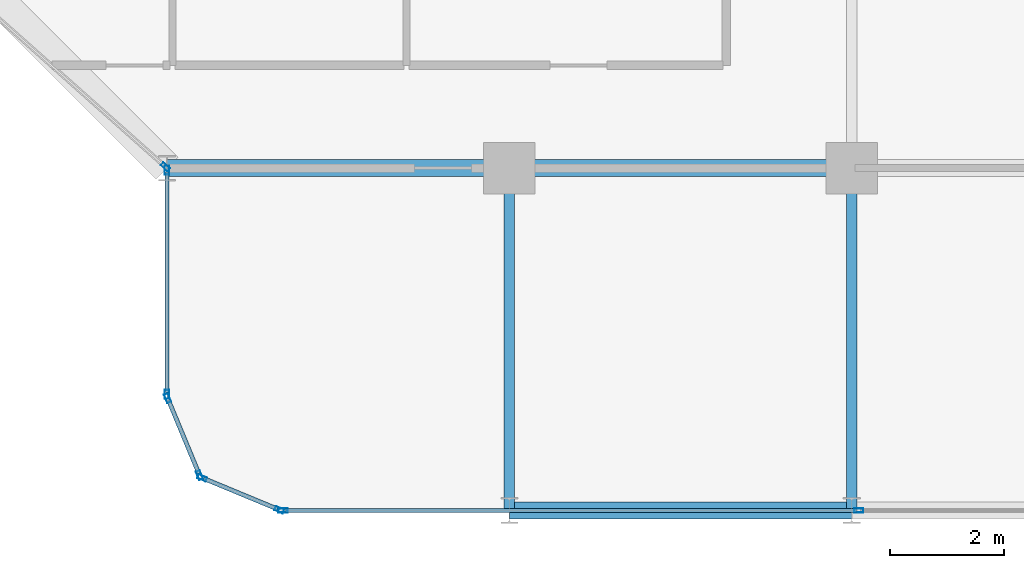
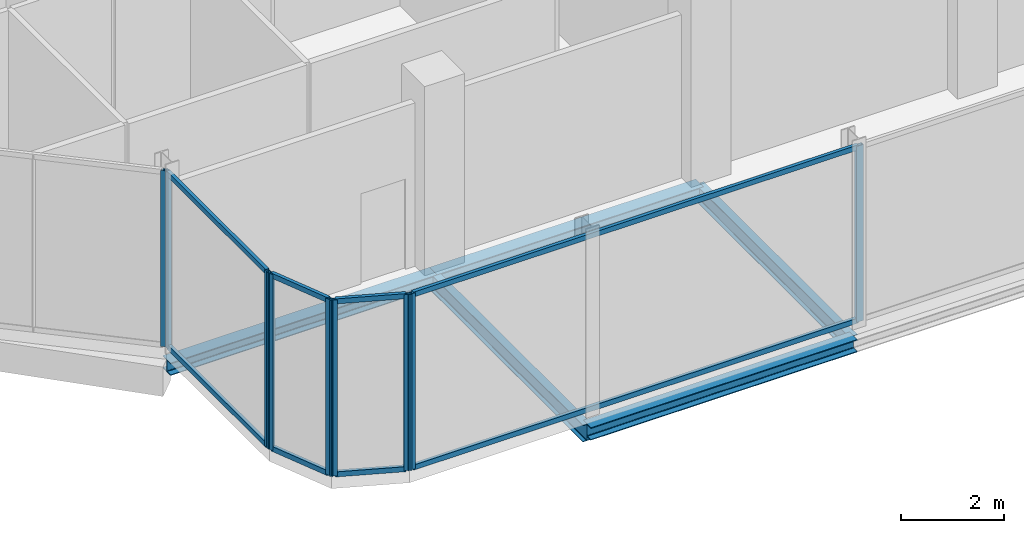
# One storey, part 6 of 31: 17 members, 5 beams, 5 elements without a shape of their own.
"""IFC4 building model written with IfcOpenShell, lengths in metres."""

from ifc_helpers import new_model, si_unit, direction, frame, origin, origin_2d, place, context, subcontext, project, spatial, hollow_rectangle, i_section, extrude, material, layer, layer_set, material_profile, profile_set, type_object, element, aggregate, save


model = new_model("IFC4")

# Units and contexts
model_context = context("Model", 3, precision=1e-05, world=origin(), true_north=direction((0.0, 1.0)))
body_context = subcontext(model_context, "Body", "Model", "MODEL_VIEW")
ifc_project = project(units=[si_unit("LENGTHUNIT", "METRE"), si_unit("AREAUNIT", "SQUARE_METRE"), si_unit("VOLUMEUNIT", "CUBIC_METRE"), si_unit("PLANEANGLEUNIT", "RADIAN"), si_unit("MASSUNIT", "GRAM", prefix="KILO")], contexts=[model_context])

# Site, building, storey
site_placement = place(None, origin())
site = spatial("IfcSite", under=ifc_project, at=site_placement, CompositionType="ELEMENT")
building_placement = place(site_placement, origin())
building = spatial("IfcBuilding", under=site, at=building_placement, Name="Keshet Zoharim Tower", CompositionType="ELEMENT")
storey_placement = place(building_placement, frame((0.0, 0.0, 183.89990234375)))
storey = spatial("IfcBuildingStorey", under=building, at=storey_placement, Name="L45", CompositionType="ELEMENT", Elevation=183.89990234375)

# Beams
ifc_material_1 = material(Name="Steel S355", Category="steel")
ifc_material_profile_1 = material_profile(ifc_material_1, i_section(OverallWidth=0.300048828125, OverallDepth=0.300048828125, WebThickness=0.010986328125, FlangeThickness=0.01904296875, FilletRadius=0.027099609375, at=origin_2d()), Name="HEB300")
ifc_profile_set_1 = profile_set([ifc_material_profile_1], Name="Steel S355")
beam_type_1 = type_object("IfcBeamType", Name="BM-PRI-HB300", PredefinedType="BEAM", material=ifc_profile_set_1)
for number, where, z_axis, x_axis, name in (
    (1, (27.0, 0.699951171875, -0.469970703125), (1.0, 0.0, 0.0), (0.0, 1.0, 0.0), "L45 Primary Girder X-001"),
    (2, (21.0, 6.699951171875, -0.469970703125), (1.0, 0.0, 0.0), (0.0, 1.0, 0.0), "L45 Primary Girder X-005"),
    (3, (27.0, 6.699951171875, -0.469970703125), (1.0, 0.0, 0.0), (0.0, 1.0, 0.0), "L45 Primary Girder X-006"),
):
    element("IfcBeam", number, at=place(storey_placement, frame(where, z_axis=z_axis, x_axis=x_axis)), inside=storey, type_object=beam_type_1, Name=name, PredefinedType="BEAM", context=body_context, shape_type="SweptSolid", body=[
        extrude(i_section(OverallWidth=0.300048828125, OverallDepth=0.300048828125, WebThickness=0.010986328125, FlangeThickness=0.01904296875, FilletRadius=0.027099609375, at=origin_2d()), origin(), (0.0, 0.0, 1.0), 6.0),
    ])
ifc_material_profile_2 = material_profile(ifc_material_1, i_section(OverallWidth=0.179931640625, OverallDepth=0.39990234375, WebThickness=0.008544921875, FlangeThickness=0.013427734375, FilletRadius=0.02099609375, at=origin_2d()), Name="IPE400")
ifc_profile_set_2 = profile_set([ifc_material_profile_2], Name="Steel S355")
beam_type_2 = type_object("IfcBeamType", Name="BM-PRI-IP400", PredefinedType="BEAM", material=ifc_profile_set_2)
for number, where, z_axis, x_axis, name in (
    (4, (27.0, 0.699951171875, -0.52001953125), (0.0, 1.0, 0.0), (-1.0, 0.0, 0.0), "L45 Primary Girder Y-004"),
    (5, (33.0, 0.699951171875, -0.52001953125), (0.0, 1.0, 0.0), (-1.0, 0.0, 0.0), "L45 Primary Girder Y-005"),
):
    element("IfcBeam", number, at=place(storey_placement, frame(where, z_axis=z_axis, x_axis=x_axis)), inside=storey, type_object=beam_type_2, Name=name, PredefinedType="BEAM", context=body_context, shape_type="SweptSolid", body=[
        extrude(i_section(OverallWidth=0.179931640625, OverallDepth=0.39990234375, WebThickness=0.008544921875, FlangeThickness=0.013427734375, FilletRadius=0.02099609375, at=origin_2d()), origin(), (0.0, 0.0, 1.0), 6.0),
    ])

# Curtain wall, members
ifc_material_2 = material(Name="Aluminium 6063-T6", Category="aluminium")
ifc_layer = layer(ifc_material_2, 0.139892578125)
ifc_layer_set = layer_set([ifc_layer], Name="Aluminium 6063-T6")
curtain_wall_type = type_object("IfcCurtainWallType", Name="CW-SYS-05", PredefinedType="NOTDEFINED", material=ifc_layer_set)
curtain_wall_1_placement = place(storey_placement, origin())
curtain_wall_1 = element("IfcCurtainWall", 6, at=curtain_wall_1_placement, inside=storey, type_object=curtain_wall_type, Name="L45 Unitised Curtain Wall 11 Part 3", PredefinedType="NOTDEFINED")
ifc_material_profile_3 = material_profile(ifc_material_2, hollow_rectangle(XDim=0.074951171875, YDim=0.159912109375, WallThickness=0.00390625, at=origin_2d()), Name="MUL-75x160")
ifc_profile_set_3 = profile_set([ifc_material_profile_3], Name="Aluminium 6063-T6")
member_type_1 = type_object("IfcMemberType", Name="CWM-M15", PredefinedType="MULLION", material=ifc_profile_set_3)
member_1_placement = place(storey_placement, frame((33.123779296875, 0.699951171875, 0.0), z_axis=(0.0, 0.0, 1.0), x_axis=(0.0, -1.0, 0.0)))
member_1 = element("IfcMember", 7, at=member_1_placement, type_object=member_type_1, Name="CW-05 mullion 2", PredefinedType="MULLION", context=body_context, shape_type="SweptSolid", body=[
    extrude(hollow_rectangle(XDim=0.074951171875, YDim=0.159912109375, WallThickness=0.00390625, at=origin_2d()), origin(), (0.0, 0.0, 1.0), 4.190185546875),
])
member_2_placement = place(storey_placement, frame((23.034912109375, 0.699951171875, 0.0), z_axis=(0.0, 0.0, 1.0), x_axis=(0.0, -1.0, 0.0)))
member_2 = element("IfcMember", 8, at=member_2_placement, type_object=member_type_1, Name="CW-05 mullion 3", PredefinedType="MULLION", context=body_context, shape_type="SweptSolid", body=[
    extrude(hollow_rectangle(XDim=0.074951171875, YDim=0.159912109375, WallThickness=0.00390625, at=origin_2d()), origin(), (0.0, 0.0, 1.0), 4.190185546875),
])

curtain_wall_2_placement = place(storey_placement, origin())
curtain_wall_2 = element("IfcCurtainWall", 9, at=curtain_wall_2_placement, inside=storey, type_object=curtain_wall_type, Name="L45 Unitised Curtain Wall 12", PredefinedType="NOTDEFINED")
member_3_placement = place(storey_placement, frame((22.9677734375, 0.71337890625, 0.0), z_axis=(0.0, 0.0, 1.0), x_axis=(-0.382851849847, -0.92380975372, 0.0)))
member_3 = element("IfcMember", 10, at=member_3_placement, type_object=member_type_1, Name="CW-05 mullion 1", PredefinedType="MULLION", context=body_context, shape_type="SweptSolid", body=[
    extrude(hollow_rectangle(XDim=0.074951171875, YDim=0.159912109375, WallThickness=0.00390625, at=origin_2d()), origin(), (0.0, 0.0, 1.0), 4.190185546875),
])
member_4_placement = place(storey_placement, frame((21.618408203125, 1.272705078125, 0.0), z_axis=(0.0, 0.0, 1.0), x_axis=(-0.382851849847, -0.92380975372, 0.0)))
member_4 = element("IfcMember", 11, at=member_4_placement, type_object=member_type_1, Name="CW-05 mullion 2", PredefinedType="MULLION", context=body_context, shape_type="SweptSolid", body=[
    extrude(hollow_rectangle(XDim=0.074951171875, YDim=0.159912109375, WallThickness=0.00390625, at=origin_2d()), origin(), (0.0, 0.0, 1.0), 4.190185546875),
])

curtain_wall_3_placement = place(storey_placement, origin())
curtain_wall_3 = element("IfcCurtainWall", 12, at=curtain_wall_3_placement, inside=storey, type_object=curtain_wall_type, Name="L45 Unitised Curtain Wall 13", PredefinedType="NOTDEFINED")
member_5_placement = place(storey_placement, frame((21.572509765625, 1.318359375, 0.0), z_axis=(0.0, 0.0, 1.0), x_axis=(-0.92380975372, -0.382851849847, 0.0)))
member_5 = element("IfcMember", 13, at=member_5_placement, type_object=member_type_1, Name="CW-05 mullion 1", PredefinedType="MULLION", context=body_context, shape_type="SweptSolid", body=[
    extrude(hollow_rectangle(XDim=0.074951171875, YDim=0.159912109375, WallThickness=0.00390625, at=origin_2d()), origin(), (0.0, 0.0, 1.0), 4.190185546875),
])
member_6_placement = place(storey_placement, frame((21.013427734375, 2.667724609375, 0.0), z_axis=(0.0, 0.0, 1.0), x_axis=(-0.92380975372, -0.382851849847, 0.0)))
member_6 = element("IfcMember", 14, at=member_6_placement, type_object=member_type_1, Name="CW-05 mullion 2", PredefinedType="MULLION", context=body_context, shape_type="SweptSolid", body=[
    extrude(hollow_rectangle(XDim=0.074951171875, YDim=0.159912109375, WallThickness=0.00390625, at=origin_2d()), origin(), (0.0, 0.0, 1.0), 4.190185546875),
])

curtain_wall_4_placement = place(storey_placement, origin())
curtain_wall_4 = element("IfcCurtainWall", 15, at=curtain_wall_4_placement, inside=storey, type_object=curtain_wall_type, Name="L45 Unitised Curtain Wall 14", PredefinedType="NOTDEFINED")
member_7_placement = place(storey_placement, frame((21.0, 2.735107421875, 0.0), z_axis=(0.0, 0.0, 1.0), x_axis=(-1.0, 0.0, 0.0)))
member_7 = element("IfcMember", 16, at=member_7_placement, type_object=member_type_1, Name="CW-05 mullion 1", PredefinedType="MULLION", context=body_context, shape_type="SweptSolid", body=[
    extrude(hollow_rectangle(XDim=0.074951171875, YDim=0.159912109375, WallThickness=0.00390625, at=origin_2d()), origin(), (0.0, 0.0, 1.0), 4.190185546875),
])
member_8_placement = place(storey_placement, frame((21.0, 6.6650390625, 0.0), z_axis=(0.0, 0.0, 1.0), x_axis=(-1.0, 0.0, 0.0)))
member_8 = element("IfcMember", 17, at=member_8_placement, type_object=member_type_1, Name="CW-05 mullion 2", PredefinedType="MULLION", context=body_context, shape_type="SweptSolid", body=[
    extrude(hollow_rectangle(XDim=0.074951171875, YDim=0.159912109375, WallThickness=0.00390625, at=origin_2d()), origin(), (0.0, 0.0, 1.0), 4.190185546875),
])

# Curtain wall, member
curtain_wall_5_placement = place(storey_placement, origin())
curtain_wall_5 = element("IfcCurtainWall", 18, at=curtain_wall_5_placement, inside=storey, type_object=curtain_wall_type, Name="L45 Unitised Curtain Wall 15", PredefinedType="NOTDEFINED")
member_9_placement = place(storey_placement, frame((20.973876953125, 6.72314453125, 0.0), z_axis=(0.0, 0.0, 1.0), x_axis=(-0.664363838836, -0.747409318679, 0.0)))
member_9 = element("IfcMember", 19, at=member_9_placement, type_object=member_type_1, Name="CW-05 mullion 1", PredefinedType="MULLION", context=body_context, shape_type="SweptSolid", body=[
    extrude(hollow_rectangle(XDim=0.074951171875, YDim=0.159912109375, WallThickness=0.00390625, at=origin_2d()), origin(), (0.0, 0.0, 1.0), 4.190185546875),
])
aggregate(curtain_wall_5, [member_9])

# Member
ifc_material_profile_4 = material_profile(ifc_material_2, hollow_rectangle(XDim=0.074951171875, YDim=0.1201171875, WallThickness=0.00390625, at=origin_2d()), Name="TRN-75x120")
ifc_profile_set_4 = profile_set([ifc_material_profile_4], Name="Aluminium 6063-T6")
member_type_2 = type_object("IfcMemberType", Name="CWT-T12", PredefinedType="USERDEFINED", material=ifc_profile_set_4)
member_10_placement = place(storey_placement, frame((33.0888671875, 0.699951171875, 0.03515625), z_axis=(-1.0, 0.0, 0.0), x_axis=(0.0, -1.0, 0.0)))
member_10 = element("IfcMember", 20, at=member_10_placement, type_object=member_type_2, Name="CW-05 transom 2.1", ObjectType="TRANSOM", PredefinedType="USERDEFINED", context=body_context, shape_type="SweptSolid", body=[
    extrude(hollow_rectangle(XDim=0.074951171875, YDim=0.1201171875, WallThickness=0.00390625, at=origin_2d()), origin(), (0.0, 0.0, 1.0), 10.018798828125),
])

member_11_placement = place(storey_placement, frame((33.0888671875, 0.699951171875, 4.155029296875), z_axis=(-1.0, 0.0, 0.0), x_axis=(0.0, -1.0, 0.0)))
member_11 = element("IfcMember", 21, at=member_11_placement, type_object=member_type_2, Name="CW-05 transom 2.2", ObjectType="TRANSOM", PredefinedType="USERDEFINED", context=body_context, shape_type="SweptSolid", body=[
    extrude(hollow_rectangle(XDim=0.074951171875, YDim=0.1201171875, WallThickness=0.00390625, at=origin_2d()), origin(), (0.0, 0.0, 1.0), 10.018798828125),
])

aggregate(curtain_wall_1, [member_1, member_2, member_10, member_11])

member_12_placement = place(storey_placement, frame((22.935302734375, 0.726806640625, 0.03515625), z_axis=(-0.92379209995, 0.382894445076, 0.0), x_axis=(-0.382894445076, -0.92379209995, 0.0)))
member_12 = element("IfcMember", 22, at=member_12_placement, type_object=member_type_2, Name="CW-05 transom 1.1", ObjectType="TRANSOM", PredefinedType="USERDEFINED", context=body_context, shape_type="SweptSolid", body=[
    extrude(hollow_rectangle(XDim=0.074951171875, YDim=0.1201171875, WallThickness=0.00390625, at=origin_2d()), origin(), (0.0, 0.0, 1.0), 1.390625),
])

member_13_placement = place(storey_placement, frame((22.935302734375, 0.726806640625, 4.155029296875), z_axis=(-0.92379209995, 0.382894445076, 0.0), x_axis=(-0.382894445076, -0.92379209995, 0.0)))
member_13 = element("IfcMember", 23, at=member_13_placement, type_object=member_type_2, Name="CW-05 transom 1.2", ObjectType="TRANSOM", PredefinedType="USERDEFINED", context=body_context, shape_type="SweptSolid", body=[
    extrude(hollow_rectangle(XDim=0.074951171875, YDim=0.1201171875, WallThickness=0.00390625, at=origin_2d()), origin(), (0.0, 0.0, 1.0), 1.390625),
])

aggregate(curtain_wall_2, [member_3, member_4, member_12, member_13])

member_14_placement = place(storey_placement, frame((21.55908203125, 1.3505859375, 0.03515625), z_axis=(-0.382744609247, 0.923854189844, 0.0), x_axis=(-0.923854189844, -0.382744609247, 0.0)))
member_14 = element("IfcMember", 24, at=member_14_placement, type_object=member_type_2, Name="CW-05 transom 1.1", ObjectType="TRANSOM", PredefinedType="USERDEFINED", context=body_context, shape_type="SweptSolid", body=[
    extrude(hollow_rectangle(XDim=0.074951171875, YDim=0.1201171875, WallThickness=0.00390625, at=origin_2d()), origin(), (0.0, 0.0, 1.0), 1.390625),
])

member_15_placement = place(storey_placement, frame((21.55908203125, 1.3505859375, 4.155029296875), z_axis=(-0.382744609247, 0.923854189844, 0.0), x_axis=(-0.923854189844, -0.382744609247, 0.0)))
member_15 = element("IfcMember", 25, at=member_15_placement, type_object=member_type_2, Name="CW-05 transom 1.2", ObjectType="TRANSOM", PredefinedType="USERDEFINED", context=body_context, shape_type="SweptSolid", body=[
    extrude(hollow_rectangle(XDim=0.074951171875, YDim=0.1201171875, WallThickness=0.00390625, at=origin_2d()), origin(), (0.0, 0.0, 1.0), 1.390625),
])

aggregate(curtain_wall_3, [member_5, member_6, member_14, member_15])

member_16_placement = place(storey_placement, frame((21.0, 2.77001953125, 0.03515625), z_axis=(0.0, 1.0, 0.0), x_axis=(-1.0, 0.0, 0.0)))
member_16 = element("IfcMember", 26, at=member_16_placement, type_object=member_type_2, Name="CW-05 transom 1.1", ObjectType="TRANSOM", PredefinedType="USERDEFINED", context=body_context, shape_type="SweptSolid", body=[
    extrude(hollow_rectangle(XDim=0.074951171875, YDim=0.1201171875, WallThickness=0.00390625, at=origin_2d()), origin(), (0.0, 0.0, 1.0), 3.85986328125),
])

member_17_placement = place(storey_placement, frame((21.0, 2.77001953125, 4.155029296875), z_axis=(0.0, 1.0, 0.0), x_axis=(-1.0, 0.0, 0.0)))
member_17 = element("IfcMember", 27, at=member_17_placement, type_object=member_type_2, Name="CW-05 transom 1.2", ObjectType="TRANSOM", PredefinedType="USERDEFINED", context=body_context, shape_type="SweptSolid", body=[
    extrude(hollow_rectangle(XDim=0.074951171875, YDim=0.1201171875, WallThickness=0.00390625, at=origin_2d()), origin(), (0.0, 0.0, 1.0), 3.85986328125),
])

aggregate(curtain_wall_4, [member_7, member_8, member_16, member_17])

save(model, "model.ifc")
